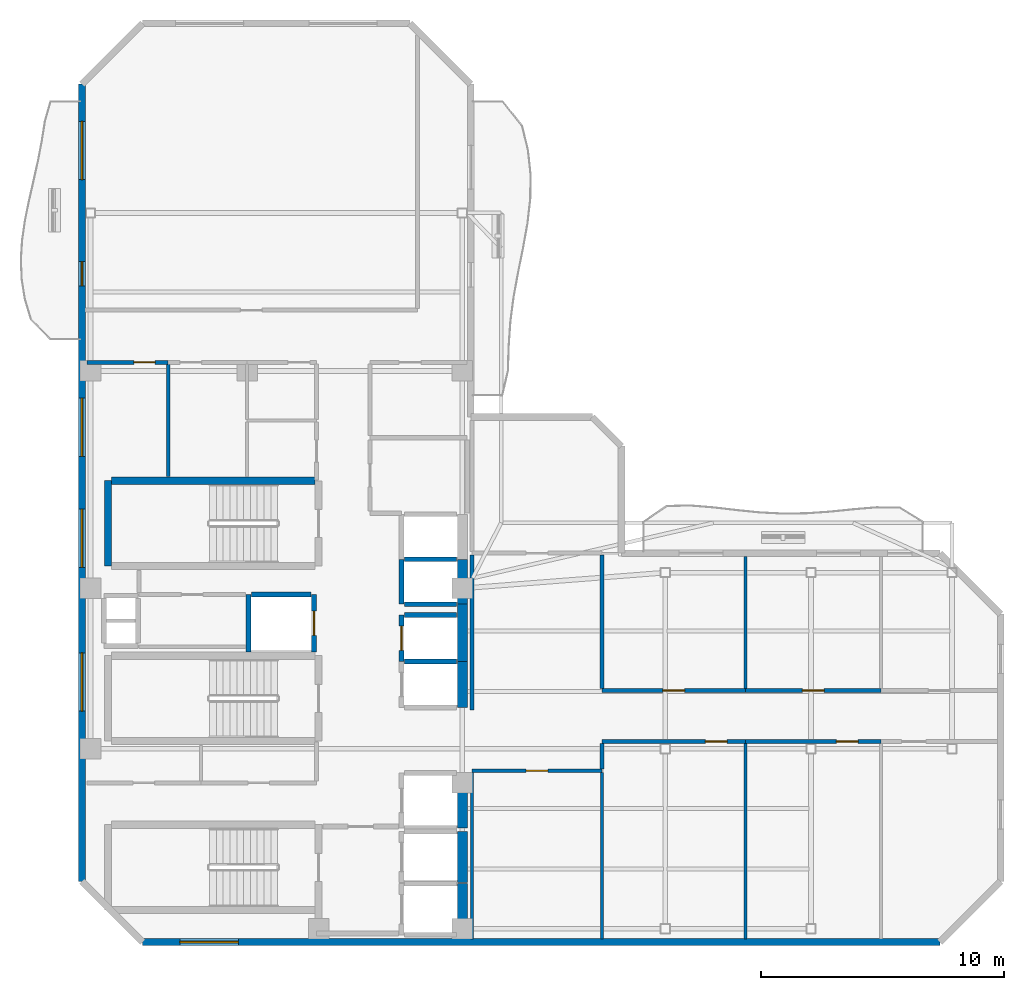
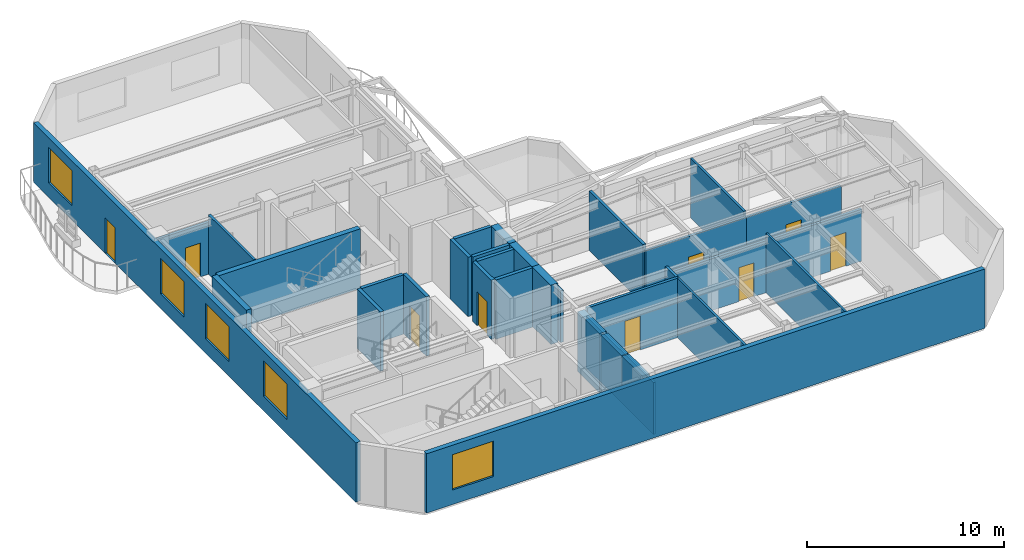
# One storey, part 3 of 7: 33 walls, 9 doors, 5 windows, 14 openings.
"""IFC4 building model written with IfcOpenShell, lengths in metres."""

from ifc_helpers import new_model, si_unit, direction, frame, frame_2d, origin, place, context, subcontext, project, spatial, rectangle, extrude, material, layer, layer_set, type_object, element, fill, save


model = new_model("IFC4")

# Units and contexts
model_context = context("Model", 3, precision=1e-05, world=origin(), true_north=direction((0.0, 1.0)))
body_context = subcontext(model_context, "Body", "Model", "MODEL_VIEW")
ifc_project = project(units=[si_unit("LENGTHUNIT", "METRE"), si_unit("AREAUNIT", "SQUARE_METRE"), si_unit("VOLUMEUNIT", "CUBIC_METRE"), si_unit("PLANEANGLEUNIT", "RADIAN"), si_unit("MASSUNIT", "GRAM", prefix="KILO")], contexts=[model_context])

# Site, building, storey
site_placement = place(None, origin())
site = spatial("IfcSite", under=ifc_project, at=site_placement, CompositionType="ELEMENT")
building_placement = place(site_placement, origin())
building = spatial("IfcBuilding", under=site, at=building_placement, Name="Mawjaban Terraces University", CompositionType="ELEMENT")
storey_placement = place(building_placement, frame((0.0, 0.0, 287.199951171875)))
storey = spatial("IfcBuildingStorey", under=building, at=storey_placement, Name="L70", CompositionType="ELEMENT", Elevation=287.199951171875)

# Walls
ifc_material_1 = material(Name="Concrete C50/60", Category="concrete")
ifc_layer_1 = layer(ifc_material_1, 0.419921875)
ifc_layer_set_1 = layer_set([ifc_layer_1], Name="Concrete C50/60")
wall_type_1 = type_object("IfcWallType", Name="CoreShearWall_420", PredefinedType="SHEAR", material=ifc_layer_set_1)
wall_1_placement = place(storey_placement, frame((37.659912109375, 0.300048828125, 0.0), z_axis=(0.0, 0.0, 1.0), x_axis=(0.0, 1.0, 0.0)))
element("IfcWall", 1, at=wall_1_placement, inside=storey, type_object=wall_type_1, Name="L70 Lift FL-1 Hoistway Wall East", PredefinedType="SHEAR", context=body_context, shape_type="SweptSolid", body=[
    extrude(rectangle(XDim=2.099853515625, YDim=0.419921875, at=frame_2d((1.0498046875, 0.0))), origin(), (0.0, 0.0, 1.0), 3.68994140625),
])
wall_2_placement = place(storey_placement, frame((37.659912109375, 2.449951171875, 0.0), z_axis=(0.0, 0.0, 1.0), x_axis=(0.0, 1.0, 0.0)))
element("IfcWall", 2, at=wall_2_placement, inside=storey, type_object=wall_type_1, Name="L70 Lift FL-2 Hoistway Wall East", PredefinedType="SHEAR", context=body_context, shape_type="SweptSolid", body=[
    extrude(rectangle(XDim=2.10009765625, YDim=0.419921875, at=frame_2d((1.050048828125, 0.0))), origin(), (0.0, 0.0, 1.0), 3.68994140625),
])
wall_3_placement = place(storey_placement, frame((37.659912109375, 4.699951171875, 0.0), z_axis=(0.0, 0.0, 1.0), x_axis=(0.0, 1.0, 0.0)))
element("IfcWall", 3, at=wall_3_placement, inside=storey, type_object=wall_type_1, Name="L70 Lift SL-1 Hoistway Wall East", PredefinedType="SHEAR", context=body_context, shape_type="SweptSolid", body=[
    extrude(rectangle(XDim=2.25, YDim=0.419921875, at=frame_2d((1.125, 0.0))), origin(), (0.0, 0.0, 1.0), 3.68994140625),
])
wall_4_placement = place(storey_placement, frame((37.659912109375, 9.64990234375, 0.0), z_axis=(0.0, 0.0, 1.0), x_axis=(0.0, 1.0, 0.0)))
element("IfcWall", 4, at=wall_4_placement, inside=storey, type_object=wall_type_1, Name="L70 Lift PL-H1 Hoistway Wall East", PredefinedType="SHEAR", context=body_context, shape_type="SweptSolid", body=[
    extrude(rectangle(XDim=1.900146484375, YDim=0.419921875, at=frame_2d((0.9501953125, 0.0))), origin(), (0.0, 0.0, 1.0), 3.68994140625),
])
wall_5_placement = place(storey_placement, frame((37.659912109375, 11.550048828125, 0.0), z_axis=(0.0, 0.0, 1.0), x_axis=(0.0, 1.0, 0.0)))
element("IfcWall", 5, at=wall_5_placement, inside=storey, type_object=wall_type_1, Name="L70 Lift PL-H2 Hoistway Wall East", PredefinedType="SHEAR", context=body_context, shape_type="SweptSolid", body=[
    extrude(rectangle(XDim=2.349853515625, YDim=0.419921875, at=frame_2d((1.1748046875, 0.0))), origin(), (0.0, 0.0, 1.0), 3.68994140625),
])
wall_6_placement = place(storey_placement, frame((37.659912109375, 13.89990234375, 0.0), z_axis=(0.0, 0.0, 1.0), x_axis=(0.0, 1.0, 0.0)))
element("IfcWall", 6, at=wall_6_placement, inside=storey, type_object=wall_type_1, Name="L70 Lift OL-1 Hoistway Wall East", PredefinedType="SHEAR", context=body_context, shape_type="SweptSolid", body=[
    extrude(rectangle(XDim=1.85009765625, YDim=0.419921875, at=frame_2d((0.925048828125, 0.0))), origin(), (0.0, 0.0, 1.0), 3.68994140625),
])

# Wall, opening, door
ifc_material_2 = material(Name="Fire-rated gypsum board on steel stud", Category="steel")
ifc_layer_2 = layer(ifc_material_2, 0.159912109375)
ifc_layer_set_2 = layer_set([ifc_layer_2], Name="Fire-rated gypsum board on steel stud")
wall_type_2 = type_object("IfcWallType", Name="CorridorPartition_160", PredefinedType="PARTITIONING", material=ifc_layer_set_2)
wall_7_placement = place(storey_placement, frame((25.550048828125, 23.85009765625, 0.0), z_axis=(0.0, 0.0, 1.0), x_axis=(-1.0, 0.0, 0.0)))
wall_7 = element("IfcWall", 7, at=wall_7_placement, inside=storey, type_object=wall_type_2, Name="L70 Female Toilet Partition 3", PredefinedType="PARTITIONING", context=body_context, shape_type="SweptSolid", body=[
    extrude(rectangle(XDim=3.35009765625, YDim=0.159912109375, at=frame_2d((1.675048828125, 0.0))), origin(), (0.0, 0.0, 1.0), 3.220947265625),
])
opening_1_placement = place(wall_7_placement, frame((0.534912109375, 0.0, 0.0)))
opening_1 = element("IfcOpeningElement", 8, at=opening_1_placement, cuts=wall_7, Name="Opening ID-088", PredefinedType="OPENING", context=body_context, shape_type="SweptSolid", body=[
    extrude(rectangle(XDim=0.8798828125, YDim=2.10009765625, at=frame_2d((0.43994140625, 1.050048828125))), frame((0.0, 0.08984375, 0.0), z_axis=(0.0, -1.0, 0.0), x_axis=(1.0, 0.0, 0.0)), (0.0, 0.0, 1.0), 0.179931640625),
])
ifc_material_3 = material(Name="Powder-coated steel frame and solid acoustic timber leaf", Category="steel")
door_type_1 = type_object("IfcDoorType", Name="ToiletDoor_880x2100", OperationType="NOTDEFINED", PredefinedType="DOOR", material=ifc_material_3)
door_1_placement = place(opening_1_placement, origin())
door_1 = element("IfcDoor", 9, at=door_1_placement, inside=storey, type_object=door_type_1, Name="L70 Female Toilet Door", OperationType="SINGLE_SWING_LEFT", OverallHeight=2.10009765625, OverallWidth=0.8798828125, PredefinedType="DOOR", context=body_context, shape_type="SweptSolid", body=[
    extrude(rectangle(XDim=0.8798828125, YDim=2.10009765625, at=frame_2d((0.43994140625, 1.050048828125))), frame((0.0, 0.02490234375, 0.0), z_axis=(0.0, -1.0, 0.0), x_axis=(1.0, 0.0, 0.0)), (0.0, 0.0, 1.0), 0.050048828125),
])
fill(opening_1, door_1)

wall_8_placement = place(storey_placement, frame((38.050048828125, 7.050048828125, 0.0), z_axis=(0.0, 0.0, 1.0), x_axis=(1.0, 0.0, 0.0)))
wall_8 = element("IfcWall", 10, at=wall_8_placement, inside=storey, type_object=wall_type_2, Name="L70 Upper Research Hub Concourse Partition 15", PredefinedType="PARTITIONING", context=body_context, shape_type="SweptSolid", body=[
    extrude(rectangle(XDim=5.349853515625, YDim=0.159912109375, at=frame_2d((2.6748046875, 0.0))), origin(), (0.0, 0.0, 1.0), 3.68994140625),
])
opening_2_placement = place(wall_8_placement, frame((2.22509765625, 0.0, 0.0)))
opening_2 = element("IfcOpeningElement", 11, at=opening_2_placement, cuts=wall_8, Name="Opening ID-090", PredefinedType="OPENING", context=body_context, shape_type="SweptSolid", body=[
    extrude(rectangle(XDim=0.89990234375, YDim=2.10009765625, at=frame_2d((0.449951171875, 1.050048828125))), frame((0.0, 0.08984375, 0.0), z_axis=(0.0, -1.0, 0.0), x_axis=(1.0, 0.0, 0.0)), (0.0, 0.0, 1.0), 0.179931640625),
])
door_type_2 = type_object("IfcDoorType", Name="OfficeDoor_900x2100", OperationType="NOTDEFINED", PredefinedType="DOOR", material=ifc_material_3)
door_2_placement = place(opening_2_placement, origin())
door_2 = element("IfcDoor", 12, at=door_2_placement, inside=storey, type_object=door_type_2, Name="L70 Collaborative Study Room 1 Door", OperationType="SINGLE_SWING_LEFT", OverallHeight=2.10009765625, OverallWidth=0.89990234375, PredefinedType="DOOR", context=body_context, shape_type="SweptSolid", body=[
    extrude(rectangle(XDim=0.89990234375, YDim=2.10009765625, at=frame_2d((0.449951171875, 1.050048828125))), frame((0.0, 0.02490234375, 0.0), z_axis=(0.0, -1.0, 0.0), x_axis=(1.0, 0.0, 0.0)), (0.0, 0.0, 1.0), 0.050048828125),
])
fill(opening_2, door_2)

wall_9_placement = place(storey_placement, frame((43.39990234375, 8.25, 0.0), z_axis=(0.0, 0.0, 1.0), x_axis=(1.0, 0.0, 0.0)))
wall_9 = element("IfcWall", 13, at=wall_9_placement, inside=storey, type_object=wall_type_2, Name="L70 Upper East Research Corridor Partition 16", PredefinedType="PARTITIONING", context=body_context, shape_type="SweptSolid", body=[
    extrude(rectangle(XDim=5.900146484375, YDim=0.159912109375, at=frame_2d((2.9501953125, 0.0))), origin(), (0.0, 0.0, 1.0), 3.220947265625),
])
opening_3_placement = place(wall_9_placement, frame((4.25, 0.0, 0.0)))
opening_3 = element("IfcOpeningElement", 14, at=opening_3_placement, cuts=wall_9, Name="Opening ID-090", PredefinedType="OPENING", context=body_context, shape_type="SweptSolid", body=[
    extrude(rectangle(XDim=0.89990234375, YDim=2.10009765625, at=frame_2d((0.449951171875, 1.050048828125))), frame((0.0, 0.08984375, 0.0), z_axis=(0.0, -1.0, 0.0), x_axis=(1.0, 0.0, 0.0)), (0.0, 0.0, 1.0), 0.179931640625),
])
door_3_placement = place(opening_3_placement, origin())
door_3 = element("IfcDoor", 15, at=door_3_placement, inside=storey, type_object=door_type_2, Name="L70 Graduate Study Lounge 2 Door", OperationType="SINGLE_SWING_RIGHT", OverallHeight=2.10009765625, OverallWidth=0.89990234375, PredefinedType="DOOR", context=body_context, shape_type="SweptSolid", body=[
    extrude(rectangle(XDim=0.89990234375, YDim=2.10009765625, at=frame_2d((0.449951171875, 1.050048828125))), frame((0.0, 0.02490234375, 0.0), z_axis=(0.0, -1.0, 0.0), x_axis=(1.0, 0.0, 0.0)), (0.0, 0.0, 1.0), 0.050048828125),
])
fill(opening_3, door_3)

wall_10_placement = place(storey_placement, frame((49.300048828125, 8.25, 0.0), z_axis=(0.0, 0.0, 1.0), x_axis=(1.0, 0.0, 0.0)))
wall_10 = element("IfcWall", 16, at=wall_10_placement, inside=storey, type_object=wall_type_2, Name="L70 Upper East Research Corridor Partition 18", PredefinedType="PARTITIONING", context=body_context, shape_type="SweptSolid", body=[
    extrude(rectangle(XDim=5.579833984375, YDim=0.159912109375, at=frame_2d((2.7900390625, 0.0))), origin(), (0.0, 0.0, 1.0), 3.220947265625),
])
opening_4_placement = place(wall_10_placement, frame((3.739990234375, 0.0, 0.0)))
opening_4 = element("IfcOpeningElement", 17, at=opening_4_placement, cuts=wall_10, Name="Opening ID-090", PredefinedType="OPENING", context=body_context, shape_type="SweptSolid", body=[
    extrude(rectangle(XDim=0.89990234375, YDim=2.10009765625, at=frame_2d((0.449951171875, 1.050048828125))), frame((0.0, 0.08984375, 0.0), z_axis=(0.0, -1.0, 0.0), x_axis=(1.0, 0.0, 0.0)), (0.0, 0.0, 1.0), 0.179931640625),
])
door_4_placement = place(opening_4_placement, origin())
door_4 = element("IfcDoor", 18, at=door_4_placement, inside=storey, type_object=door_type_2, Name="L70 Graduate Study Lounge 4 Door", OperationType="SINGLE_SWING_RIGHT", OverallHeight=2.10009765625, OverallWidth=0.89990234375, PredefinedType="DOOR", context=body_context, shape_type="SweptSolid", body=[
    extrude(rectangle(XDim=0.89990234375, YDim=2.10009765625, at=frame_2d((0.449951171875, 1.050048828125))), frame((0.0, 0.02490234375, 0.0), z_axis=(0.0, -1.0, 0.0), x_axis=(1.0, 0.0, 0.0)), (0.0, 0.0, 1.0), 0.050048828125),
])
fill(opening_4, door_4)

wall_11_placement = place(storey_placement, frame((49.300048828125, 10.35009765625, 0.0), z_axis=(0.0, 0.0, 1.0), x_axis=(-1.0, 0.0, 0.0)))
wall_11 = element("IfcWall", 19, at=wall_11_placement, inside=storey, type_object=wall_type_2, Name="L70 Upper East Research Corridor Partition 19", PredefinedType="PARTITIONING", context=body_context, shape_type="SweptSolid", body=[
    extrude(rectangle(XDim=5.900146484375, YDim=0.159912109375, at=frame_2d((2.9501953125, 0.0))), origin(), (0.0, 0.0, 1.0), 3.3720703125),
])
opening_5_placement = place(wall_11_placement, frame((2.5, 0.0, 0.0)))
opening_5 = element("IfcOpeningElement", 20, at=opening_5_placement, cuts=wall_11, Name="Opening ID-090", PredefinedType="OPENING", context=body_context, shape_type="SweptSolid", body=[
    extrude(rectangle(XDim=0.89990234375, YDim=2.10009765625, at=frame_2d((0.449951171875, 1.050048828125))), frame((0.0, 0.08984375, 0.0), z_axis=(0.0, -1.0, 0.0), x_axis=(1.0, 0.0, 0.0)), (0.0, 0.0, 1.0), 0.179931640625),
])
door_5_placement = place(opening_5_placement, origin())
door_5 = element("IfcDoor", 21, at=door_5_placement, inside=storey, type_object=door_type_2, Name="L70 Collaborative Study Room 3 Door", OperationType="SINGLE_SWING_LEFT", OverallHeight=2.10009765625, OverallWidth=0.89990234375, PredefinedType="DOOR", context=body_context, shape_type="SweptSolid", body=[
    extrude(rectangle(XDim=0.89990234375, YDim=2.10009765625, at=frame_2d((0.449951171875, 1.050048828125))), frame((0.0, 0.02490234375, 0.0), z_axis=(0.0, -1.0, 0.0), x_axis=(1.0, 0.0, 0.0)), (0.0, 0.0, 1.0), 0.050048828125),
])
fill(opening_5, door_5)

wall_12_placement = place(storey_placement, frame((54.8798828125, 10.35009765625, 0.0), z_axis=(0.0, 0.0, 1.0), x_axis=(-1.0, 0.0, 0.0)))
wall_12 = element("IfcWall", 22, at=wall_12_placement, inside=storey, type_object=wall_type_2, Name="L70 Upper East Research Corridor Partition 21", PredefinedType="PARTITIONING", context=body_context, shape_type="SweptSolid", body=[
    extrude(rectangle(XDim=5.579833984375, YDim=0.159912109375, at=frame_2d((2.7900390625, 0.0))), origin(), (0.0, 0.0, 1.0), 3.3720703125),
])
opening_6_placement = place(wall_12_placement, frame((2.340087890625, 0.0, 0.0)))
opening_6 = element("IfcOpeningElement", 23, at=opening_6_placement, cuts=wall_12, Name="Opening ID-090", PredefinedType="OPENING", context=body_context, shape_type="SweptSolid", body=[
    extrude(rectangle(XDim=0.89990234375, YDim=2.10009765625, at=frame_2d((0.449951171875, 1.050048828125))), frame((0.0, 0.08984375, 0.0), z_axis=(0.0, -1.0, 0.0), x_axis=(1.0, 0.0, 0.0)), (0.0, 0.0, 1.0), 0.179931640625),
])
door_6_placement = place(opening_6_placement, origin())
door_6 = element("IfcDoor", 24, at=door_6_placement, inside=storey, type_object=door_type_2, Name="L70 Collaborative Study Room 5 Door", OperationType="SINGLE_SWING_LEFT", OverallHeight=2.10009765625, OverallWidth=0.89990234375, PredefinedType="DOOR", context=body_context, shape_type="SweptSolid", body=[
    extrude(rectangle(XDim=0.89990234375, YDim=2.10009765625, at=frame_2d((0.449951171875, 1.050048828125))), frame((0.0, 0.02490234375, 0.0), z_axis=(0.0, -1.0, 0.0), x_axis=(1.0, 0.0, 0.0)), (0.0, 0.0, 1.0), 0.050048828125),
])
fill(opening_6, door_6)

# Walls
wall_13_placement = place(storey_placement, frame((38.050048828125, 15.925048828125, 0.0), z_axis=(0.0, 0.0, 1.0), x_axis=(0.0, -1.0, 0.0)))
element("IfcWall", 25, at=wall_13_placement, inside=storey, type_object=wall_type_2, Name="L70 Upper Research Hub Concourse Partition 36", PredefinedType="PARTITIONING", context=body_context, shape_type="SweptSolid", body=[
    extrude(rectangle(XDim=6.375, YDim=0.159912109375, at=frame_2d((3.1875, 0.0))), origin(), (0.0, 0.0, 1.0), 3.220947265625),
])
wall_14_placement = place(storey_placement, frame((43.39990234375, 7.125, 0.0), z_axis=(0.0, 0.0, 1.0), x_axis=(0.0, 1.0, 0.0)))
element("IfcWall", 26, at=wall_14_placement, inside=storey, type_object=wall_type_2, Name="L70 Upper Research Hub Concourse Partition 39", PredefinedType="PARTITIONING", context=body_context, shape_type="SweptSolid", body=[
    extrude(rectangle(XDim=1.050048828125, YDim=0.159912109375, at=frame_2d((0.52490234375, 0.0))), origin(), (0.0, 0.0, 1.0), 3.68994140625),
])
wall_15_placement = place(storey_placement, frame((43.39990234375, 10.425048828125, 0.0), z_axis=(0.0, 0.0, 1.0), x_axis=(0.0, 1.0, 0.0)))
element("IfcWall", 27, at=wall_15_placement, inside=storey, type_object=wall_type_2, Name="L70 Upper Research Hub Concourse Partition 40", PredefinedType="PARTITIONING", context=body_context, shape_type="SweptSolid", body=[
    extrude(rectangle(XDim=5.5, YDim=0.159912109375, at=frame_2d((2.75, 0.0))), origin(), (0.0, 0.0, 1.0), 3.68994140625),
])

# Wall, opening, window
ifc_material_4 = material(Name="Insulated terracotta rainscreen on concrete backup C40/50", Category="masonry")
ifc_layer_3 = layer(ifc_material_4, 0.27490234375)
ifc_layer_set_3 = layer_set([ifc_layer_3], Name="Insulated terracotta rainscreen on concrete backup C40/50")
wall_type_3 = type_object("IfcWallType", Name="ExtTerracottaWall_275", PredefinedType="SOLIDWALL", material=ifc_layer_set_3)
wall_16_placement = place(storey_placement, frame((24.5, 0.0, 0.0), z_axis=(0.0, 0.0, 1.0), x_axis=(1.0, 0.0, 0.0)))
wall_16 = element("IfcWall", 28, at=wall_16_placement, inside=storey, type_object=wall_type_3, Name="L70 Exterior Terracotta Wall 1", PredefinedType="SOLIDWALL", context=body_context, shape_type="SweptSolid", body=[
    extrude(rectangle(XDim=32.800048828125, YDim=0.27490234375, at=frame_2d((16.39990234375, 0.0))), origin(), (0.0, 0.0, 1.0), 3.68994140625),
])
opening_7_placement = place(wall_16_placement, frame((1.532958984375, 0.0, 0.89990234375)))
opening_7 = element("IfcOpeningElement", 29, at=opening_7_placement, cuts=wall_16, Name="Opening W-11", PredefinedType="OPENING", context=body_context, shape_type="SweptSolid", body=[
    extrude(rectangle(XDim=2.39990234375, YDim=2.199951171875, at=frame_2d((1.199951171875, 1.10009765625))), frame((0.0, 0.1474609375, 0.0), z_axis=(0.0, -1.0, 0.0), x_axis=(1.0, 0.0, 0.0)), (0.0, 0.0, 1.0), 0.294921875),
])
ifc_material_5 = material(Name="Low-E solar-control double glazing in thermally broken aluminium frame", Category="aluminium")
window_type = type_object("IfcWindowType", Name="Win_2400x2200", PartitioningType="SINGLE_PANEL", PredefinedType="WINDOW", material=ifc_material_5)
window_1_placement = place(opening_7_placement, origin())
window_1 = element("IfcWindow", 30, at=window_1_placement, inside=storey, type_object=window_type, Name="L70 Facade Window 1.1", OverallHeight=2.199951171875, OverallWidth=2.39990234375, PartitioningType="SINGLE_PANEL", PredefinedType="WINDOW", context=body_context, shape_type="SweptSolid", body=[
    extrude(rectangle(XDim=2.39990234375, YDim=2.199951171875, at=frame_2d((1.199951171875, 1.10009765625))), frame((0.0, 0.030029296875, 0.0), z_axis=(0.0, -1.0, 0.0), x_axis=(1.0, 0.0, 0.0)), (0.0, 0.0, 1.0), 0.06005859375),
])
fill(opening_7, window_1)

# Wall, openings, door, windows
wall_17_placement = place(storey_placement, frame((22.0, 35.300048828125, 0.0), z_axis=(0.0, 0.0, 1.0), x_axis=(0.0, -1.0, 0.0)))
wall_17 = element("IfcWall", 31, at=wall_17_placement, inside=storey, type_object=wall_type_3, Name="L70 Exterior Terracotta Wall 13", PredefinedType="SOLIDWALL", context=body_context, shape_type="SweptSolid", body=[
    extrude(rectangle(XDim=32.800048828125, YDim=0.27490234375, at=frame_2d((16.39990234375, 0.0))), origin(), (0.0, 0.0, 1.0), 3.68994140625),
])
opening_8_placement = place(wall_17_placement, frame((7.300048828125, 0.0, 0.0)))
opening_8 = element("IfcOpeningElement", 32, at=opening_8_placement, cuts=wall_17, Name="Opening BD-100", PredefinedType="OPENING", context=body_context, shape_type="SweptSolid", body=[
    extrude(rectangle(XDim=1.0, YDim=2.199951171875, at=frame_2d((0.5, 1.10009765625))), frame((0.0, 0.1474609375, 0.0), z_axis=(0.0, -1.0, 0.0), x_axis=(1.0, 0.0, 0.0)), (0.0, 0.0, 1.0), 0.294921875),
])
opening_9_placement = place(wall_17_placement, frame((1.532958984375, 0.0, 0.89990234375)))
opening_9 = element("IfcOpeningElement", 33, at=opening_9_placement, cuts=wall_17, Name="Opening W-11", PredefinedType="OPENING", context=body_context, shape_type="SweptSolid", body=[
    extrude(rectangle(XDim=2.39990234375, YDim=2.199951171875, at=frame_2d((1.199951171875, 1.10009765625))), frame((0.0, 0.1474609375, 0.0), z_axis=(0.0, -1.0, 0.0), x_axis=(1.0, 0.0, 0.0)), (0.0, 0.0, 1.0), 0.294921875),
])
opening_10_placement = place(wall_17_placement, frame((12.9169921875, 0.0, 0.89990234375)))
opening_10 = element("IfcOpeningElement", 34, at=opening_10_placement, cuts=wall_17, Name="Opening W-11", PredefinedType="OPENING", context=body_context, shape_type="SweptSolid", body=[
    extrude(rectangle(XDim=2.39990234375, YDim=2.199951171875, at=frame_2d((1.199951171875, 1.10009765625))), frame((0.0, 0.1474609375, 0.0), z_axis=(0.0, -1.0, 0.0), x_axis=(1.0, 0.0, 0.0)), (0.0, 0.0, 1.0), 0.294921875),
])
opening_11_placement = place(wall_17_placement, frame((17.48291015625, 0.0, 0.89990234375)))
opening_11 = element("IfcOpeningElement", 35, at=opening_11_placement, cuts=wall_17, Name="Opening W-11", PredefinedType="OPENING", context=body_context, shape_type="SweptSolid", body=[
    extrude(rectangle(XDim=2.39990234375, YDim=2.199951171875, at=frame_2d((1.199951171875, 1.10009765625))), frame((0.0, 0.1474609375, 0.0), z_axis=(0.0, -1.0, 0.0), x_axis=(1.0, 0.0, 0.0)), (0.0, 0.0, 1.0), 0.294921875),
])
opening_12_placement = place(wall_17_placement, frame((23.39990234375, 0.0, 0.89990234375)))
opening_12 = element("IfcOpeningElement", 36, at=opening_12_placement, cuts=wall_17, Name="Opening W-11", PredefinedType="OPENING", context=body_context, shape_type="SweptSolid", body=[
    extrude(rectangle(XDim=2.39990234375, YDim=2.199951171875, at=frame_2d((1.199951171875, 1.10009765625))), frame((0.0, 0.1474609375, 0.0), z_axis=(0.0, -1.0, 0.0), x_axis=(1.0, 0.0, 0.0)), (0.0, 0.0, 1.0), 0.294921875),
])
ifc_material_6 = material(Name="Thermally broken anodised aluminium and laminated safety glass", Category="aluminium")
door_type_3 = type_object("IfcDoorType", Name="BalconyGlazedDoor_1000x2200", OperationType="NOTDEFINED", PredefinedType="DOOR", material=ifc_material_6)
door_7_placement = place(opening_8_placement, origin())
door_7 = element("IfcDoor", 37, at=door_7_placement, inside=storey, type_object=door_type_3, Name="L70 Balcony Access Door west", OperationType="SINGLE_SWING_LEFT", OverallHeight=2.199951171875, OverallWidth=1.0, PredefinedType="DOOR", context=body_context, shape_type="SweptSolid", body=[
    extrude(rectangle(XDim=1.0, YDim=2.199951171875, at=frame_2d((0.5, 1.10009765625))), frame((0.0, 0.02490234375, 0.0), z_axis=(0.0, -1.0, 0.0), x_axis=(1.0, 0.0, 0.0)), (0.0, 0.0, 1.0), 0.050048828125),
])
fill(opening_8, door_7)
window_2_placement = place(opening_9_placement, origin())
window_2 = element("IfcWindow", 38, at=window_2_placement, inside=storey, type_object=window_type, Name="L70 Facade Window 13.1", OverallHeight=2.199951171875, OverallWidth=2.39990234375, PartitioningType="SINGLE_PANEL", PredefinedType="WINDOW", context=body_context, shape_type="SweptSolid", body=[
    extrude(rectangle(XDim=2.39990234375, YDim=2.199951171875, at=frame_2d((1.199951171875, 1.10009765625))), frame((0.0, 0.030029296875, 0.0), z_axis=(0.0, -1.0, 0.0), x_axis=(1.0, 0.0, 0.0)), (0.0, 0.0, 1.0), 0.06005859375),
])
fill(opening_9, window_2)
window_3_placement = place(opening_10_placement, origin())
window_3 = element("IfcWindow", 39, at=window_3_placement, inside=storey, type_object=window_type, Name="L70 Facade Window 13.3", OverallHeight=2.199951171875, OverallWidth=2.39990234375, PartitioningType="SINGLE_PANEL", PredefinedType="WINDOW", context=body_context, shape_type="SweptSolid", body=[
    extrude(rectangle(XDim=2.39990234375, YDim=2.199951171875, at=frame_2d((1.199951171875, 1.10009765625))), frame((0.0, 0.030029296875, 0.0), z_axis=(0.0, -1.0, 0.0), x_axis=(1.0, 0.0, 0.0)), (0.0, 0.0, 1.0), 0.06005859375),
])
fill(opening_10, window_3)
window_4_placement = place(opening_11_placement, origin())
window_4 = element("IfcWindow", 40, at=window_4_placement, inside=storey, type_object=window_type, Name="L70 Facade Window 13.4", OverallHeight=2.199951171875, OverallWidth=2.39990234375, PartitioningType="SINGLE_PANEL", PredefinedType="WINDOW", context=body_context, shape_type="SweptSolid", body=[
    extrude(rectangle(XDim=2.39990234375, YDim=2.199951171875, at=frame_2d((1.199951171875, 1.10009765625))), frame((0.0, 0.030029296875, 0.0), z_axis=(0.0, -1.0, 0.0), x_axis=(1.0, 0.0, 0.0)), (0.0, 0.0, 1.0), 0.06005859375),
])
fill(opening_11, window_4)
window_5_placement = place(opening_12_placement, origin())
window_5 = element("IfcWindow", 41, at=window_5_placement, inside=storey, type_object=window_type, Name="L70 Facade Window 13.5", OverallHeight=2.199951171875, OverallWidth=2.39990234375, PartitioningType="SINGLE_PANEL", PredefinedType="WINDOW", context=body_context, shape_type="SweptSolid", body=[
    extrude(rectangle(XDim=2.39990234375, YDim=2.199951171875, at=frame_2d((1.199951171875, 1.10009765625))), frame((0.0, 0.030029296875, 0.0), z_axis=(0.0, -1.0, 0.0), x_axis=(1.0, 0.0, 0.0)), (0.0, 0.0, 1.0), 0.06005859375),
])
fill(opening_12, window_5)

# Wall
ifc_material_7 = material(Name="Concrete C40/50", Category="concrete")
ifc_layer_4 = layer(ifc_material_7, 0.199951171875)
ifc_layer_set_4 = layer_set([ifc_layer_4], Name="Concrete C40/50")
wall_type_4 = type_object("IfcWallType", Name="FireLobbyWall_200", PredefinedType="SOLIDWALL", material=ifc_layer_set_4)
wall_18_placement = place(storey_placement, frame((37.419921875, 11.550048828125, 0.0), z_axis=(0.0, 0.0, 1.0), x_axis=(-1.0, 0.0, 0.0)))
element("IfcWall", 42, at=wall_18_placement, inside=storey, type_object=wall_type_4, Name="L70 Lift PL-H1 Hoistway Wall North", PredefinedType="SOLIDWALL", context=body_context, shape_type="SweptSolid", body=[
    extrude(rectangle(XDim=2.139892578125, YDim=0.199951171875, at=frame_2d((1.06982421875, 0.0))), origin(), (0.0, 0.0, 1.0), 3.68994140625),
])

# Wall, opening, door
wall_19_placement = place(storey_placement, frame((35.14990234375, 13.449951171875, 0.0), z_axis=(0.0, 0.0, 1.0), x_axis=(0.0, -1.0, 0.0)))
wall_19 = element("IfcWall", 43, at=wall_19_placement, inside=storey, type_object=wall_type_4, Name="L70 Lift PL-H2 Hoistway Wall West", PredefinedType="SOLIDWALL", context=body_context, shape_type="SweptSolid", body=[
    extrude(rectangle(XDim=1.89990234375, YDim=0.199951171875, at=frame_2d((0.949951171875, 0.0))), origin(), (0.0, 0.0, 1.0), 3.68994140625),
])
opening_13_placement = place(wall_19_placement, frame((0.449951171875, 0.0, 0.0)))
opening_13 = element("IfcOpeningElement", 44, at=opening_13_placement, cuts=wall_19, Name="Opening LD-PL-H2", PredefinedType="OPENING", context=body_context, shape_type="SweptSolid", body=[
    extrude(rectangle(XDim=1.0, YDim=2.10009765625, at=frame_2d((0.5, 1.050048828125))), frame((0.0, 0.10986328125, 0.0), z_axis=(0.0, -1.0, 0.0), x_axis=(1.0, 0.0, 0.0)), (0.0, 0.0, 1.0), 0.219970703125),
])
ifc_material_8 = material(Name="Powder-coated steel frame and fire-rated steel-faced leaf", Category="steel")
door_type_4 = type_object("IfcDoorType", Name="LiftLandingSliding_1000x2100", OperationType="NOTDEFINED", PredefinedType="DOOR", material=ifc_material_8)
door_8_placement = place(opening_13_placement, origin())
door_8 = element("IfcDoor", 45, at=door_8_placement, inside=storey, type_object=door_type_4, Name="L70 Lift PL-H2 Sliding Landing Door", OperationType="DOUBLE_DOOR_SLIDING", OverallHeight=2.10009765625, OverallWidth=1.0, PredefinedType="DOOR", context=body_context, shape_type="SweptSolid", body=[
    extrude(rectangle(XDim=1.0, YDim=2.10009765625, at=frame_2d((0.5, 1.050048828125))), frame((0.0, 0.02490234375, 0.0), z_axis=(0.0, -1.0, 0.0), x_axis=(1.0, 0.0, 0.0)), (0.0, 0.0, 1.0), 0.050048828125),
])
fill(opening_13, door_8)

# Walls
wall_20_placement = place(storey_placement, frame((37.419921875, 13.449951171875, 0.0), z_axis=(0.0, 0.0, 1.0), x_axis=(-1.0, 0.0, 0.0)))
element("IfcWall", 46, at=wall_20_placement, inside=storey, type_object=wall_type_4, Name="L70 Lift PL-H2 Hoistway Wall North", PredefinedType="SOLIDWALL", context=body_context, shape_type="SweptSolid", body=[
    extrude(rectangle(XDim=2.139892578125, YDim=0.199951171875, at=frame_2d((1.06982421875, 0.0))), origin(), (0.0, 0.0, 1.0), 3.68994140625),
])
wall_21_placement = place(storey_placement, frame((28.85009765625, 14.300048828125, 0.0), z_axis=(0.0, 0.0, 1.0), x_axis=(0.0, -1.0, 0.0)))
element("IfcWall", 47, at=wall_21_placement, inside=storey, type_object=wall_type_4, Name="L70 Lift PL-H3 Hoistway Wall West", PredefinedType="SOLIDWALL", context=body_context, shape_type="SweptSolid", body=[
    extrude(rectangle(XDim=2.3701171875, YDim=0.199951171875, at=frame_2d((1.18505859375, 0.0))), origin(), (0.0, 0.0, 1.0), 3.68994140625),
])

# Wall, opening, door
wall_22_placement = place(storey_placement, frame((31.550048828125, 11.929931640625, 0.0), z_axis=(0.0, 0.0, 1.0), x_axis=(0.0, 1.0, 0.0)))
wall_22 = element("IfcWall", 48, at=wall_22_placement, inside=storey, type_object=wall_type_4, Name="L70 Lift PL-H3 Hoistway Wall East", PredefinedType="SOLIDWALL", context=body_context, shape_type="SweptSolid", body=[
    extrude(rectangle(XDim=2.3701171875, YDim=0.199951171875, at=frame_2d((1.18505859375, 0.0))), origin(), (0.0, 0.0, 1.0), 3.68994140625),
])
opening_14_placement = place(wall_22_placement, frame((0.68505859375, 0.0, 0.0)))
opening_14 = element("IfcOpeningElement", 49, at=opening_14_placement, cuts=wall_22, Name="Opening LD-PL-H3", PredefinedType="OPENING", context=body_context, shape_type="SweptSolid", body=[
    extrude(rectangle(XDim=1.0, YDim=2.10009765625, at=frame_2d((0.5, 1.050048828125))), frame((0.0, 0.10986328125, 0.0), z_axis=(0.0, -1.0, 0.0), x_axis=(1.0, 0.0, 0.0)), (0.0, 0.0, 1.0), 0.219970703125),
])
door_9_placement = place(opening_14_placement, origin())
door_9 = element("IfcDoor", 50, at=door_9_placement, inside=storey, type_object=door_type_4, Name="L70 Lift PL-H3 Sliding Landing Door", OperationType="DOUBLE_DOOR_SLIDING", OverallHeight=2.10009765625, OverallWidth=1.0, PredefinedType="DOOR", context=body_context, shape_type="SweptSolid", body=[
    extrude(rectangle(XDim=1.0, YDim=2.10009765625, at=frame_2d((0.5, 1.050048828125))), frame((0.0, 0.02490234375, 0.0), z_axis=(0.0, -1.0, 0.0), x_axis=(1.0, 0.0, 0.0)), (0.0, 0.0, 1.0), 0.050048828125),
])
fill(opening_14, door_9)

# Walls
wall_23_placement = place(storey_placement, frame((31.419921875, 14.300048828125, 0.0), z_axis=(0.0, 0.0, 1.0), x_axis=(-1.0, 0.0, 0.0)))
element("IfcWall", 51, at=wall_23_placement, inside=storey, type_object=wall_type_4, Name="L70 Lift PL-H3 Hoistway Wall North", PredefinedType="SOLIDWALL", context=body_context, shape_type="SweptSolid", body=[
    extrude(rectangle(XDim=2.43994140625, YDim=0.199951171875, at=frame_2d((1.219970703125, 0.0))), origin(), (0.0, 0.0, 1.0), 3.68994140625),
])
wall_24_placement = place(storey_placement, frame((35.14990234375, 15.75, 0.0), z_axis=(0.0, 0.0, 1.0), x_axis=(0.0, -1.0, 0.0)))
element("IfcWall", 52, at=wall_24_placement, inside=storey, type_object=wall_type_4, Name="L70 Lift OL-1 Hoistway Wall West", PredefinedType="SOLIDWALL", context=body_context, shape_type="SweptSolid", body=[
    extrude(rectangle(XDim=1.85009765625, YDim=0.199951171875, at=frame_2d((0.925048828125, 0.0))), origin(), (0.0, 0.0, 1.0), 3.68994140625),
])
for number, where, z_axis, x_axis, name in (
    (53, (35.280029296875, 13.89990234375, 0.0), (0.0, 0.0, 1.0), (1.0, 0.0, 0.0), "L70 Lift OL-1 Hoistway Wall South"),
    (54, (37.419921875, 15.75, 0.0), (0.0, 0.0, 1.0), (-1.0, 0.0, 0.0), "L70 Lift OL-1 Hoistway Wall North"),
):
    element("IfcWall", number, at=place(storey_placement, frame(where, z_axis=z_axis, x_axis=x_axis)), inside=storey, type_object=wall_type_4, Name=name, PredefinedType="SOLIDWALL", context=body_context, shape_type="SweptSolid", body=[
        extrude(rectangle(XDim=2.139892578125, YDim=0.199951171875, at=frame_2d((1.06982421875, 0.0))), origin(), (0.0, 0.0, 1.0), 3.68994140625),
    ])
ifc_material_9 = material(Name="Gypsum plasterboard on steel stud", Category="steel")
ifc_layer_5 = layer(ifc_material_9, 0.125)
ifc_layer_set_5 = layer_set([ifc_layer_5], Name="Gypsum plasterboard on steel stud")
wall_type_5 = type_object("IfcWallType", Name="OfficePartition_125", PredefinedType="PARTITIONING", material=ifc_layer_set_5)
wall_25_placement = place(storey_placement, frame((38.050048828125, 6.97509765625, 0.0), z_axis=(0.0, 0.0, 1.0), x_axis=(0.0, -1.0, 0.0)))
element("IfcWall", 55, at=wall_25_placement, inside=storey, type_object=wall_type_5, Name="L70 Collaborative Study Room 1 Partition 35", PredefinedType="PARTITIONING", context=body_context, shape_type="SweptSolid", body=[
    extrude(rectangle(XDim=6.842041015625, YDim=0.125, at=frame_2d((3.4208984375, 0.0))), origin(), (0.0, 0.0, 1.0), 3.220947265625),
])
wall_26_placement = place(storey_placement, frame((43.39990234375, 0.133056640625, 0.0), z_axis=(0.0, 0.0, 1.0), x_axis=(0.0, 1.0, 0.0)))
element("IfcWall", 56, at=wall_26_placement, inside=storey, type_object=wall_type_5, Name="L70 Collaborative Study Room 1 Partition 38", PredefinedType="PARTITIONING", context=body_context, shape_type="SweptSolid", body=[
    extrude(rectangle(XDim=6.842041015625, YDim=0.125, at=frame_2d((3.4208984375, 0.0))), origin(), (0.0, 0.0, 1.0), 3.68994140625),
])
wall_27_placement = place(storey_placement, frame((49.300048828125, 0.133056640625, 0.0), z_axis=(0.0, 0.0, 1.0), x_axis=(0.0, 1.0, 0.0)))
element("IfcWall", 57, at=wall_27_placement, inside=storey, type_object=wall_type_5, Name="L70 Graduate Study Lounge 2 Partition 41", PredefinedType="PARTITIONING", context=body_context, shape_type="SweptSolid", body=[
    extrude(rectangle(XDim=8.0419921875, YDim=0.125, at=frame_2d((4.02099609375, 0.0))), origin(), (0.0, 0.0, 1.0), 3.68994140625),
])
wall_28_placement = place(storey_placement, frame((49.300048828125, 10.425048828125, 0.0), z_axis=(0.0, 0.0, 1.0), x_axis=(0.0, 1.0, 0.0)))
element("IfcWall", 58, at=wall_28_placement, inside=storey, type_object=wall_type_5, Name="L70 Collaborative Study Room 3 Partition 42", PredefinedType="PARTITIONING", context=body_context, shape_type="SweptSolid", body=[
    extrude(rectangle(XDim=5.44189453125, YDim=0.125, at=frame_2d((2.720947265625, 0.0))), origin(), (0.0, 0.0, 1.0), 3.68994140625),
])
ifc_material_10 = material(Name="Concrete C60/75", Category="concrete")
ifc_layer_6 = layer(ifc_material_10, 0.300048828125)
ifc_layer_set_6 = layer_set([ifc_layer_6], Name="Concrete C60/75")
wall_type_6 = type_object("IfcWallType", Name="StairShaftWall_300", PredefinedType="SHEAR", material=ifc_layer_set_6)
wall_29_placement = place(storey_placement, frame((31.580078125, 18.97998046875, 0.0), z_axis=(0.0, 0.0, 1.0), x_axis=(-1.0, 0.0, 0.0)))
element("IfcWall", 59, at=wall_29_placement, inside=storey, type_object=wall_type_6, Name="L70 ST-2 Stair Shaft Wall 1", PredefinedType="SHEAR", context=body_context, shape_type="SweptSolid", body=[
    extrude(rectangle(XDim=8.360107421875, YDim=0.300048828125, at=frame_2d((4.18017578125, 0.0))), origin(), (0.0, 0.0, 1.0), 3.68994140625),
])
wall_30_placement = place(storey_placement, frame((23.070068359375, 18.97998046875, 0.0), z_axis=(0.0, 0.0, 1.0), x_axis=(0.0, -1.0, 0.0)))
element("IfcWall", 60, at=wall_30_placement, inside=storey, type_object=wall_type_6, Name="L70 ST-2 Stair Shaft Wall 2", PredefinedType="SHEAR", context=body_context, shape_type="SweptSolid", body=[
    extrude(rectangle(XDim=3.510009765625, YDim=0.300048828125, at=frame_2d((1.7548828125, 0.0))), origin(), (0.0, 0.0, 1.0), 3.68994140625),
])
ifc_material_11 = material(Name="Cement-board wet-room partition", Category="masonry")
ifc_layer_7 = layer(ifc_material_11, 0.135009765625)
ifc_layer_set_7 = layer_set([ifc_layer_7], Name="Cement-board wet-room partition")
wall_type_7 = type_object("IfcWallType", Name="WetRoomPartition_135", PredefinedType="PARTITIONING", material=ifc_layer_set_7)
wall_31_placement = place(storey_placement, frame((25.550048828125, 19.159912109375, 0.0), z_axis=(0.0, 0.0, 1.0), x_axis=(0.0, 1.0, 0.0)))
element("IfcWall", 61, at=wall_31_placement, inside=storey, type_object=wall_type_7, Name="L70 Female Toilet Partition 24", PredefinedType="PARTITIONING", context=body_context, shape_type="SweptSolid", body=[
    extrude(rectangle(XDim=4.614990234375, YDim=0.135009765625, at=frame_2d((2.3076171875, 0.0))), origin(), (0.0, 0.0, 1.0), 3.68994140625),
])

save(model, "model.ifc")
